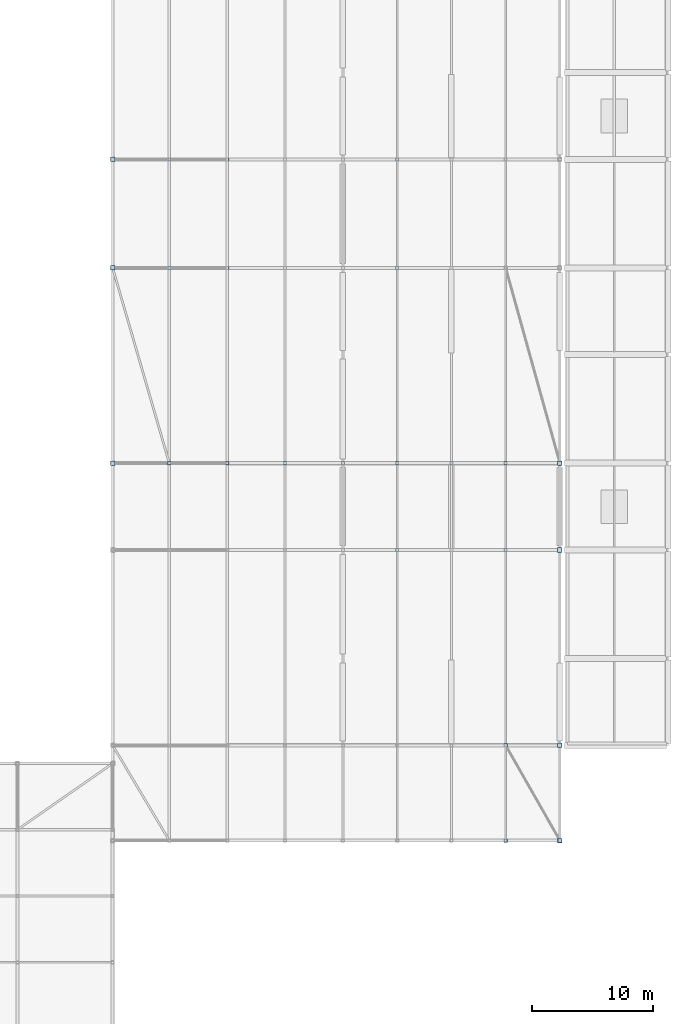
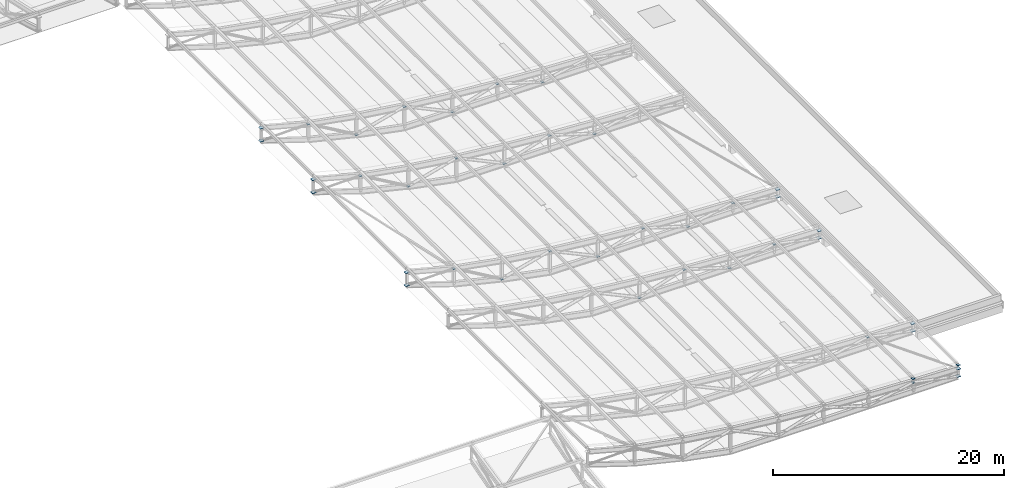
# One storey, part 98 of 114: 41 plates.
"""IFC4 building model written with IfcOpenShell, lengths in metres."""

import ifcopenshell
import ifcopenshell.guid

model = None  # the IFC model being written
_history = None  # IfcOwnerHistory: only IFC2X3 demands one
_inside = {}  # id of a spatial element -> (the spatial element, [elements in it])
_under = {}  # id of a project, library or spatial element -> (it, [spatial elements below it])
_declared = {}  # id of a project -> (the project, [libraries it declares])
_typed = {}  # id of a type object -> (the type object, [elements of that type])
_made_of = {}  # id of a material, layer set ... -> (it, [elements and type objects made of it])


def new_model(schema):
    """Start an empty IFC model of exactly this schema.

    Asked for "IFC4X3", IfcOpenShell would pick the latest addendum, in which some entities
    have other attributes; the version numbers below select the first issue.
    IFC2X3 requires an IfcOwnerHistory on every rooted entity: one is made here for all.
    """
    global model, _history
    if schema == "IFC4X3":
        model = ifcopenshell.file(schema_version=(4, 3, 0, 0))
    else:
        model = ifcopenshell.file(schema=schema)
    _inside.clear()
    _under.clear()
    _declared.clear()
    _typed.clear()
    _made_of.clear()
    _history = None
    if model.schema == "IFC2X3":
        org = make("IfcOrganization", Name="unknown")
        user = make(
            "IfcPersonAndOrganization",
            ThePerson=make("IfcPerson", FamilyName="unknown"),
            TheOrganization=org,
        )
        app = make(
            "IfcApplication",
            ApplicationDeveloper=org,
            Version="unknown",
            ApplicationFullName="unknown",
            ApplicationIdentifier="unknown",
        )
        _history = make(
            "IfcOwnerHistory",
            OwningUser=user,
            OwningApplication=app,
            ChangeAction="ADDED",
            CreationDate=0,
        )
    return model


def make(cls, **values):
    """One entity of the class cls with the attributes given. An attribute that is None is left unset."""
    return model.create_entity(
        cls, **{name: value for name, value in values.items() if value is not None}
    )


def rooted(cls, **values):
    """An entity with a GlobalId (a new one), such as an element, a storey or a relation."""
    return make(cls, GlobalId=ifcopenshell.guid.new(), OwnerHistory=_history, **values)


def si_unit(unit_type, name, prefix=None):
    """IfcSIUnit, for example si_unit("LENGTHUNIT", "METRE", prefix="MILLI")."""
    return make("IfcSIUnit", UnitType=unit_type, Prefix=prefix, Name=name)


def assignment(units):
    """IfcUnitAssignment: the units of a project."""
    return None if units is None else make("IfcUnitAssignment", Units=units)


def point(xyz):
    """IfcCartesianPoint."""
    return None if xyz is None else make("IfcCartesianPoint", Coordinates=xyz)


def direction(xyz):
    """IfcDirection."""
    return None if xyz is None else make("IfcDirection", DirectionRatios=xyz)


def frame(location, z_axis=None, x_axis=None):
    """IfcAxis2Placement3D, a coordinate frame: its origin and axes. An axis left out is left unset."""
    return make(
        "IfcAxis2Placement3D",
        Location=point(location),
        Axis=direction(z_axis),
        RefDirection=direction(x_axis),
    )


def frame_2d(location, x_axis=None):
    """IfcAxis2Placement2D, a coordinate frame in the plane: its origin and x axis."""
    return make(
        "IfcAxis2Placement2D", Location=point(location), RefDirection=direction(x_axis)
    )


def origin():
    """The frame at (0, 0, 0) with its axes left unset."""
    return frame((0.0, 0.0, 0.0))


def origin_2d():
    """The frame at (0, 0) in the plane with its x axis left unset."""
    return frame_2d((0.0, 0.0))


def place(relative_to, where):
    """IfcLocalPlacement: puts the frame where relative to a parent placement (None: the world)."""
    return make(
        "IfcLocalPlacement", PlacementRelTo=relative_to, RelativePlacement=where
    )


def context(
    kind, dimensions, precision=None, world=None, true_north=None, identifier=None
):
    """IfcGeometricRepresentationContext, for example the 3D "Model" context."""
    return make(
        "IfcGeometricRepresentationContext",
        ContextIdentifier=identifier,
        ContextType=kind,
        CoordinateSpaceDimension=dimensions,
        Precision=precision,
        WorldCoordinateSystem=world,
        TrueNorth=true_north,
    )


def subcontext(parent, identifier, kind, view, scale=None):
    """IfcGeometricRepresentationSubContext, for example "Body" below "Model"."""
    return make(
        "IfcGeometricRepresentationSubContext",
        ContextIdentifier=identifier,
        ContextType=kind,
        ParentContext=parent,
        TargetScale=scale,
        TargetView=view,
    )


def project(units=None, contexts=None):
    """IfcProject with its units and contexts."""
    return rooted(
        "IfcProject",
        Name="project",
        RepresentationContexts=contexts,
        UnitsInContext=assignment(units),
    )


def spatial(cls, under=None, at=None, **own):
    """A site, building, storey or space (cls), placed at a placement, below another one or the project."""
    s = rooted(cls, ObjectPlacement=at, **own)
    if under is not None:
        _under.setdefault(under.id(), (under, []))[1].append(s)
    return s


def profile(cls, at=None, kind="AREA", **sizes):
    """A parametric profile (cls). Its sizes go by their IFC names, for example OverallWidth=200.0."""
    return make(cls, ProfileType=kind, Position=at, **sizes)


def rectangle(**sizes):
    """IfcRectangleProfileDef."""
    return profile("IfcRectangleProfileDef", **sizes)


def extrude(swept, where, along, depth):
    """IfcExtrudedAreaSolid: the profile swept, set in the frame where, extruded along a direction by depth."""
    return make(
        "IfcExtrudedAreaSolid",
        SweptArea=swept,
        Position=where,
        ExtrudedDirection=direction(along),
        Depth=depth,
    )


def shape(context_of_items, identifier, shape_type, items):
    """IfcShapeRepresentation: the items that make up one representation, for example the "Body"."""
    return make(
        "IfcShapeRepresentation",
        ContextOfItems=context_of_items,
        RepresentationIdentifier=identifier,
        RepresentationType=shape_type,
        Items=items,
    )


def material(Name=None, Category=None):
    """IfcMaterial."""
    return make("IfcMaterial", Name=Name, Category=Category)


def layer(
    of_material, thickness, ventilated=None, Name=None, Category=None, Priority=None
):
    """IfcMaterialLayer: one layer of a wall or slab, of a material (None: an air gap)."""
    return make(
        "IfcMaterialLayer",
        Material=of_material,
        LayerThickness=thickness,
        IsVentilated=ventilated,
        Name=Name,
        Category=Category,
        Priority=Priority,
    )


def layer_set(layers, Name=None):
    """IfcMaterialLayerSet."""
    return make("IfcMaterialLayerSet", MaterialLayers=layers, LayerSetName=Name)


def made_of(thing, what):
    """Note that an element or type object is made of a material, layer set ...; save() writes the relation."""
    if what is not None:
        _made_of.setdefault(what.id(), (what, []))[1].append(thing)
    return thing


def type_object(cls, material=None, **own):
    """A type object (cls), such as IfcWallType, which elements share."""
    return made_of(rooted(cls, **own), material)


def element(
    cls,
    number,
    at=None,
    inside=None,
    cuts=None,
    type_object=None,
    material=None,
    context=None,
    identifier="Body",
    shape_type=None,
    held_by="IfcProductDefinitionShape",
    body=None,
    shapes=None,
    **own,
):
    """One element of the class cls, such as IfcWall. Its Tag is "e" and its number.

    at: its placement. inside: the storey or other place that contains it. cuts: it is an
    opening in that element (IfcRelVoidsElement). A single representation is given by context,
    identifier, shape_type and body (its items); several are given by shapes. held_by: the class
    of the entity that holds the representations. save() writes the other relations.
    """
    e = rooted(cls, Tag="e%d" % number, ObjectPlacement=at, **own)
    if body is not None:
        shapes = [shape(context, identifier, shape_type, body)]
    if shapes is not None:
        e.Representation = make(held_by, Representations=shapes)
    if inside is not None:
        _inside.setdefault(inside.id(), (inside, []))[1].append(e)
    if cuts is not None:
        rooted(
            "IfcRelVoidsElement", RelatingBuildingElement=cuts, RelatedOpeningElement=e
        )
    if type_object is not None:
        _typed.setdefault(type_object.id(), (type_object, []))[1].append(e)
    return made_of(e, material)


def aggregate(whole, parts):
    """IfcRelAggregates: a whole, such as a stair, and the parts it consists of."""
    return rooted("IfcRelAggregates", RelatingObject=whole, RelatedObjects=parts)


def save(model, path):
    """Write the relations noted so far, then the file.

    IfcRelAggregates (storeys below a building ...), IfcRelContainedInSpatialStructure (elements
    in a storey), IfcRelDefinesByType, IfcRelAssociatesMaterial and IfcRelDeclares: one each for
    every whole, place, type object, material and project.
    """
    for whole, parts in _under.values():
        aggregate(whole, parts)
    for where, things in _inside.values():
        rooted(
            "IfcRelContainedInSpatialStructure",
            RelatedElements=things,
            RelatingStructure=where,
        )
    for kind, things in _typed.values():
        rooted("IfcRelDefinesByType", RelatedObjects=things, RelatingType=kind)
    for what, things in _made_of.values():
        rooted("IfcRelAssociatesMaterial", RelatedObjects=things, RelatingMaterial=what)
    for by, libraries in _declared.values():
        rooted("IfcRelDeclares", RelatingContext=by, RelatedDefinitions=libraries)
    model.write(path)


model = new_model("IFC4")

# Units and contexts
model_context = context("Model", 3, precision=1e-05, world=origin(), true_north=direction((0.0, 1.0)))
body_context = subcontext(model_context, "Body", "Model", "MODEL_VIEW")
ifc_project = project(units=[si_unit("LENGTHUNIT", "METRE"), si_unit("AREAUNIT", "SQUARE_METRE"), si_unit("VOLUMEUNIT", "CUBIC_METRE"), si_unit("PLANEANGLEUNIT", "RADIAN"), si_unit("MASSUNIT", "GRAM", prefix="KILO"), si_unit("THERMODYNAMICTEMPERATUREUNIT", "KELVIN"), si_unit("POWERUNIT", "WATT")], contexts=[model_context])

# Site, building, storey
site_placement = place(None, origin())
site = spatial("IfcSite", under=ifc_project, at=site_placement, CompositionType="ELEMENT")
building_placement = place(site_placement, origin())
building = spatial("IfcBuilding", under=site, at=building_placement, Name="Sindhuravela Promenade Stadium", CompositionType="ELEMENT")
storey_placement = place(building_placement, frame((0.0, 0.0, 24.0)))
storey = spatial("IfcBuildingStorey", under=building, at=storey_placement, Name="L05", CompositionType="ELEMENT", Elevation=24.0)

# Plates
ifc_material = material(Name="Steel E350 (IS 2062 E350BR)", Category="steel")
ifc_layer_1 = layer(ifc_material, 0.02392578125)
ifc_layer_set_1 = layer_set([ifc_layer_1], Name="Steel E350 (IS 2062 E350BR)")
plate_type_1 = type_object("IfcPlateType", Name="ST-PL-CAP24", PredefinedType="USERDEFINED", material=ifc_layer_set_1)
for number, where, z_axis, x_axis, name in (
    (1, (198.0, 37.10009765625, 1.179931640625), (0.0, 0.0, 1.0), (1.0, 0.0, 0.0), "Purlin end cap plate CP01 E-37"),
    (2, (193.5, 37.10009765625, 1.310791015625), (0.0, 0.0, 1.0), (1.0, 0.0, 0.0), "Purlin end cap plate CP01 E-38"),
    (3, (193.5, 45.0, 0.918701171875), (0.0, 0.0, 1.0), (1.0, 0.0, 0.0), "Brace end cap plate CP01 E-46"),
    (4, (165.60009765625, 68.39990234375, 3.73876953125), (0.0, 0.0, 1.0), (1.0, 0.0, 0.0), "Brace end cap plate CP01 E-49"),
):
    element("IfcPlate", number, at=place(storey_placement, frame(where, z_axis=z_axis, x_axis=x_axis)), inside=storey, type_object=plate_type_1, Name=name, ObjectType="GUSSET PLATE", PredefinedType="USERDEFINED", context=body_context, shape_type="SweptSolid", body=[
        extrude(rectangle(XDim=0.280029296875, YDim=0.280029296875, at=origin_2d()), origin(), (0.0, 0.0, 1.0), 0.02392578125),
    ])
for number, where, z_axis, x_axis, name in (
    (5, (193.5, 37.10009765625, 0.918701171875), (0.0, 0.0, 1.0), (1.0, 0.0, 0.0), "Brace end gusset plate CP01 BR-0070B"),
    (6, (193.5, 61.199951171875, 0.918701171875), (0.0, 0.0, 1.0), (1.0, 0.0, 0.0), "Brace end gusset plate CP01 BR-0082B"),
    (7, (189.0, 61.199951171875, -0.011962890625), (0.0, 0.0, 1.0), (1.0, 0.0, 0.0), "Brace end gusset plate CP01 BR-0083B"),
    (8, (184.5, 61.199951171875, 1.389404296875), (0.0, 0.0, 1.0), (1.0, 0.0, 0.0), "Brace end gusset plate CP01 BR-0084B"),
    (9, (180.0, 61.199951171875, -0.011962890625), (0.0, 0.0, 1.0), (1.0, 0.0, 0.0), "Brace end gusset plate CP01 BR-0085B"),
    (10, (193.5, 68.39990234375, 0.918701171875), (0.0, 0.0, 1.0), (1.0, 0.0, 0.0), "Brace end gusset plate CP01 BR-0089B"),
    (11, (189.0, 68.39990234375, -0.011962890625), (0.0, 0.0, 1.0), (1.0, 0.0, 0.0), "Brace end gusset plate CP01 BR-0090B"),
    (12, (184.5, 68.39990234375, 1.389404296875), (0.0, 0.0, 1.0), (1.0, 0.0, 0.0), "Brace end gusset plate CP01 BR-0091B"),
    (13, (180.0, 68.39990234375, -0.011962890625), (0.0, 0.0, 1.0), (1.0, 0.0, 0.0), "Brace end gusset plate CP01 BR-0092B"),
    (14, (175.199951171875, 68.39990234375, 2.237548828125), (0.0, 0.0, 1.0), (1.0, 0.0, 0.0), "Brace end gusset plate CP01 BR-0093B"),
    (15, (170.39990234375, 68.39990234375, 0.943359375), (0.0, 0.0, 1.0), (1.0, 0.0, 0.0), "Brace end gusset plate CP01 BR-0094B"),
    (16, (189.0, 84.60009765625, -0.011962890625), (0.0, 0.0, 1.0), (1.0, 0.0, 0.0), "Brace end gusset plate CP01 BR-0095B"),
    (17, (184.5, 84.60009765625, 1.389404296875), (0.0, 0.0, 1.0), (1.0, 0.0, 0.0), "Brace end gusset plate CP01 BR-0096B"),
    (18, (180.0, 84.60009765625, -0.011962890625), (0.0, 0.0, 1.0), (1.0, 0.0, 0.0), "Brace end gusset plate CP01 BR-0097B"),
    (19, (175.199951171875, 84.60009765625, 2.237548828125), (0.0, 0.0, 1.0), (1.0, 0.0, 0.0), "Brace end gusset plate CP01 BR-0098B"),
    (20, (170.39990234375, 84.60009765625, 0.943359375), (0.0, 0.0, 1.0), (1.0, 0.0, 0.0), "Brace end gusset plate CP01 BR-0099B"),
    (21, (165.60009765625, 84.60009765625, 3.73876953125), (0.0, 0.0, 1.0), (1.0, 0.0, 0.0), "Brace end gusset plate CP01 BR-0100B"),
    (22, (189.0, 93.60009765625, -0.011962890625), (0.0, 0.0, 1.0), (1.0, 0.0, 0.0), "Brace end gusset plate CP01 BR-0102B"),
    (23, (184.5, 93.60009765625, 1.389404296875), (0.0, 0.0, 1.0), (1.0, 0.0, 0.0), "Brace end gusset plate CP01 BR-0103B"),
    (24, (180.0, 93.60009765625, -0.011962890625), (0.0, 0.0, 1.0), (1.0, 0.0, 0.0), "Brace end gusset plate CP01 BR-0104B"),
    (25, (175.199951171875, 93.60009765625, 2.237548828125), (0.0, 0.0, 1.0), (1.0, 0.0, 0.0), "Brace end gusset plate CP01 BR-0105B"),
    (26, (170.39990234375, 93.60009765625, 0.943359375), (0.0, 0.0, 1.0), (1.0, 0.0, 0.0), "Brace end gusset plate CP01 BR-0106B"),
    (27, (165.60009765625, 93.60009765625, 3.73876953125), (0.0, 0.0, 1.0), (1.0, 0.0, 0.0), "Brace end gusset plate CP01 BR-0107B"),
):
    element("IfcPlate", number, at=place(storey_placement, frame(where, z_axis=z_axis, x_axis=x_axis)), inside=storey, type_object=plate_type_1, Name=name, ObjectType="GUSSET PLATE", PredefinedType="USERDEFINED", context=body_context, shape_type="SweptSolid", body=[
        extrude(rectangle(XDim=0.260009765625, YDim=0.260009765625, at=origin_2d()), origin(), (0.0, 0.0, 1.0), 0.02392578125),
    ])
ifc_layer_2 = layer(ifc_material, 0.033935546875)
ifc_layer_set_2 = layer_set([ifc_layer_2], Name="Steel E350 (IS 2062 E350BR)")
plate_type_2 = type_object("IfcPlateType", Name="ST-PL-CAP34", PredefinedType="USERDEFINED", material=ifc_layer_set_2)
for number, where, z_axis, x_axis, name in (
    (28, (198.0, 37.10009765625, 0.783203125), (0.0, 0.0, 1.0), (1.0, 0.0, 0.0), "Truss end gusset cap plate CP02 E01-1T"),
    (29, (198.0, 37.10009765625, -0.01708984375), (0.0, 0.0, 1.0), (1.0, 0.0, 0.0), "Truss end gusset cap plate CP02 E01-1B"),
    (30, (198.0, 45.0, 0.783203125), (0.0, 0.0, 1.0), (1.0, 0.0, 0.0), "Truss end gusset cap plate CP02 E02-1T"),
    (31, (198.0, 45.0, -0.01708984375), (0.0, 0.0, 1.0), (1.0, 0.0, 0.0), "Truss end gusset cap plate CP02 E02-1B"),
    (32, (198.0, 61.199951171875, 0.783203125), (0.0, 0.0, 1.0), (1.0, 0.0, 0.0), "Truss end gusset cap plate CP02 E03-1T"),
    (33, (198.0, 61.199951171875, -0.01708984375), (0.0, 0.0, 1.0), (1.0, 0.0, 0.0), "Truss end gusset cap plate CP02 E03-1B"),
    (34, (198.0, 68.39990234375, 0.783203125), (0.0, 0.0, 1.0), (1.0, 0.0, 0.0), "Truss end gusset cap plate CP02 E04-1T"),
    (35, (198.0, 68.39990234375, -0.01708984375), (0.0, 0.0, 1.0), (1.0, 0.0, 0.0), "Truss end gusset cap plate CP02 E04-1B"),
    (36, (160.89990234375, 68.39990234375, 4.98291015625), (0.0, 0.0, 1.0), (1.0, 0.0, 0.0), "Truss end gusset cap plate CP02 E04-9T"),
    (37, (160.89990234375, 68.39990234375, 3.60791015625), (0.0, 0.0, 1.0), (1.0, 0.0, 0.0), "Truss end gusset cap plate CP02 E04-9B"),
    (38, (160.89990234375, 84.60009765625, 4.98291015625), (0.0, 0.0, 1.0), (1.0, 0.0, 0.0), "Truss end gusset cap plate CP02 E05-9T"),
    (39, (160.89990234375, 84.60009765625, 3.60791015625), (0.0, 0.0, 1.0), (1.0, 0.0, 0.0), "Truss end gusset cap plate CP02 E05-9B"),
    (40, (160.89990234375, 93.60009765625, 4.98291015625), (0.0, 0.0, 1.0), (1.0, 0.0, 0.0), "Truss end gusset cap plate CP02 E06-9T"),
    (41, (160.89990234375, 93.60009765625, 3.60791015625), (0.0, 0.0, 1.0), (1.0, 0.0, 0.0), "Truss end gusset cap plate CP02 E06-9B"),
):
    element("IfcPlate", number, at=place(storey_placement, frame(where, z_axis=z_axis, x_axis=x_axis)), inside=storey, type_object=plate_type_2, Name=name, ObjectType="GUSSET PLATE", PredefinedType="USERDEFINED", context=body_context, shape_type="SweptSolid", body=[
        extrude(rectangle(XDim=0.3798828125, YDim=0.3798828125, at=origin_2d()), origin(), (0.0, 0.0, 1.0), 0.033935546875),
    ])

save(model, "model.ifc")
